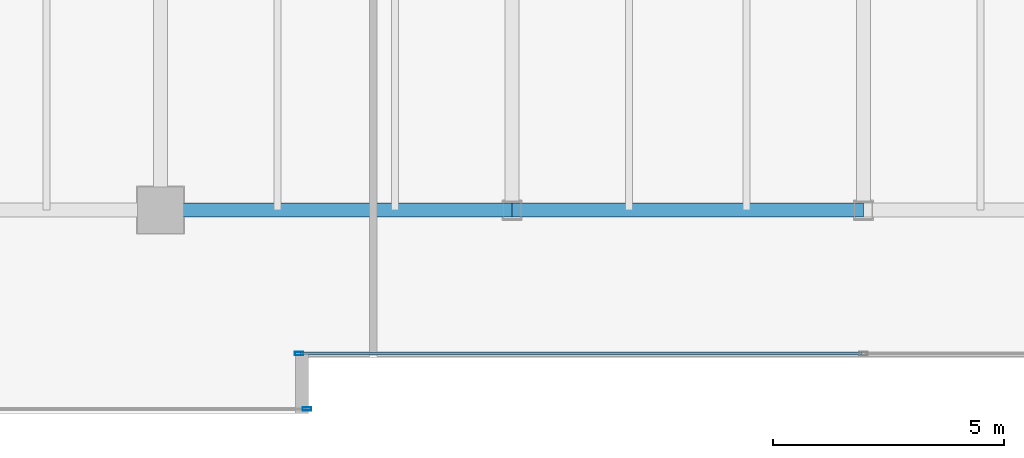
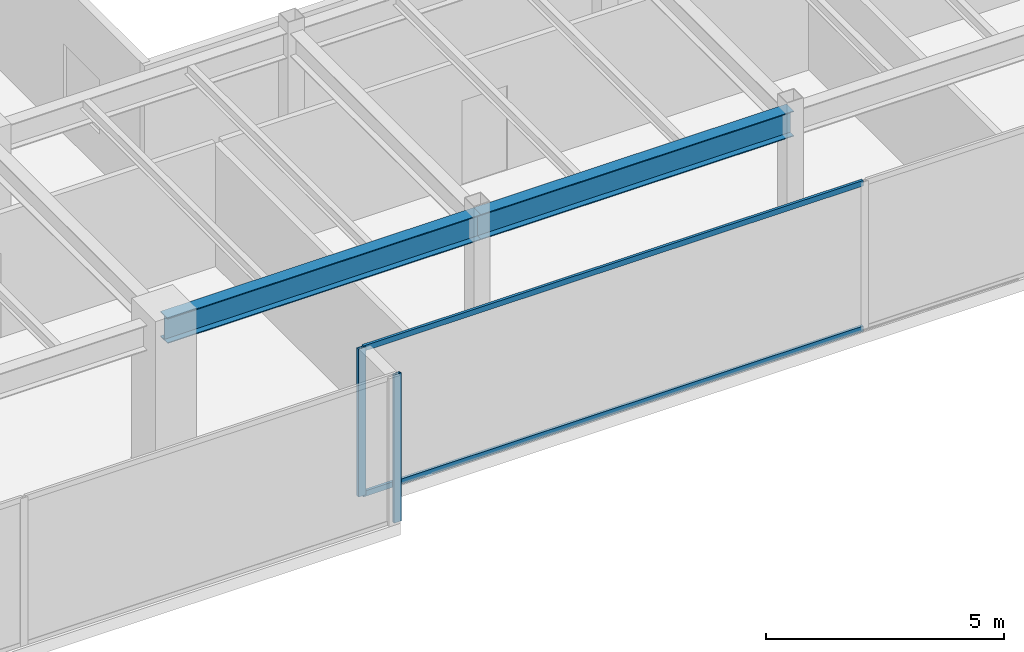
# One storey, part 7 of 35: 4 members, 2 beams, 2 elements without a shape of their own.
"""IFC4 building model written with IfcOpenShell, lengths in metres."""

from ifc_helpers import new_model, si_unit, direction, frame, origin, origin_2d, place, context, subcontext, project, spatial, hollow_rectangle, i_section, extrude, source, transform, mapped, material, layer, layer_set, material_profile, profile_set, type_object, type_shapes, element, aggregate, save


model = new_model("IFC4")

# Units and contexts
model_context = context("Model", 3, precision=1e-05, world=origin(), true_north=direction((0.0, 1.0)))
body_context = subcontext(model_context, "Body", "Model", "MODEL_VIEW")
ifc_project = project(units=[si_unit("LENGTHUNIT", "METRE"), si_unit("AREAUNIT", "SQUARE_METRE"), si_unit("VOLUMEUNIT", "CUBIC_METRE"), si_unit("PLANEANGLEUNIT", "RADIAN"), si_unit("MASSUNIT", "GRAM", prefix="KILO")], contexts=[model_context])

# Site, building, storey
site_placement = place(None, origin())
site = spatial("IfcSite", under=ifc_project, at=site_placement, CompositionType="ELEMENT")
building_placement = place(site_placement, origin())
building = spatial("IfcBuilding", under=site, at=building_placement, Name="Haelvirn Gate Laboratories", CompositionType="ELEMENT")
storey_placement = place(building_placement, frame((0.0, 0.0, 226.0)))
storey = spatial("IfcBuildingStorey", under=building, at=storey_placement, Name="L54", CompositionType="ELEMENT", Elevation=226.0)

# Beams
ifc_material_1 = material(Name="Steel SM355", Category="steel")
ifc_material_profile_1 = material_profile(ifc_material_1, i_section(OverallWidth=0.300048828125, OverallDepth=0.64990234375, WebThickness=0.012939453125, FlangeThickness=0.02197265625, at=origin_2d()), Name="H-650x300x13x22")
ifc_profile_set_1 = profile_set([ifc_material_profile_1], Name="Steel SM355")
beam_type = type_object("IfcBeamType", Name="BM-G-650", PredefinedType="BEAM", material=ifc_profile_set_1)
shared_shape_1 = source(origin(), body_context, "Body", "SweptSolid", [
    extrude(i_section(OverallWidth=0.300048828125, OverallDepth=0.64990234375, WebThickness=0.012939453125, FlangeThickness=0.02197265625, at=origin_2d()), origin(), (0.0, 0.0, 1.0), 7.60009765625),
])
beam_1_placement = place(storey_placement, frame((22.199951171875, 7.0, 3.47509765625), z_axis=(1.0, 0.0, 0.0), x_axis=(0.0, 1.0, 0.0)))
element("IfcBeam", 1, at=beam_1_placement, inside=storey, type_object=beam_type, Name="L54 Primary Girder Y7.0 (22.2-29.8)", PredefinedType="BEAM", context=body_context, shape_type="MappedRepresentation", body=[
    mapped(shared_shape_1, transform((0.0, 0.0, 0.0), scale=1.0)),
])
shared_shape_2 = source(origin(), body_context, "Body", "SweptSolid", [
    extrude(i_section(OverallWidth=0.300048828125, OverallDepth=0.64990234375, WebThickness=0.012939453125, FlangeThickness=0.02197265625, at=origin_2d()), origin(), (0.0, 0.0, 1.0), 7.599853515625),
])
type_shapes(beam_type, [shared_shape_1, shared_shape_2])
beam_2_placement = place(storey_placement, frame((29.800048828125, 7.0, 3.47509765625), z_axis=(1.0, 0.0, 0.0), x_axis=(0.0, 1.0, 0.0)))
element("IfcBeam", 2, at=beam_2_placement, inside=storey, type_object=beam_type, Name="L54 Primary Girder Y7.0 (29.8-37.4)", PredefinedType="BEAM", context=body_context, shape_type="MappedRepresentation", body=[
    mapped(shared_shape_2, transform((0.0, 0.0, 0.0), scale=1.0)),
])

# Curtain wall, members
ifc_material_2 = material(Name="Anodised bronze unitised aluminium & triple low-E glass", Category="aluminium")
ifc_layer = layer(ifc_material_2, 0.176025390625, Name="CW-SYS-4")
ifc_layer_set = layer_set([ifc_layer], Name="Anodised bronze unitised aluminium & triple low-E glass")
curtain_wall_type = type_object("IfcCurtainWallType", Name="CW-SYS-4", PredefinedType="NOTDEFINED", material=ifc_layer_set)
curtain_wall_1_placement = place(storey_placement, origin())
curtain_wall_1 = element("IfcCurtainWall", 3, at=curtain_wall_1_placement, inside=storey, type_object=curtain_wall_type, Name="L54 Unitised Curtain Wall CW-L54-P0-E02-1", PredefinedType="NOTDEFINED")
ifc_material_3 = material(Name="Extruded aluminium 6063-T6 (anodised bronze)", Category="aluminium")
ifc_material_profile_2 = material_profile(ifc_material_3, hollow_rectangle(XDim=0.06494140625, YDim=0.139892578125, WallThickness=0.00390625, at=origin_2d()), Name="CWT-140x65x4")
ifc_profile_set_2 = profile_set([ifc_material_profile_2], Name="Extruded aluminium 6063-T6 (anodised bronze)")
member_type_1 = type_object("IfcMemberType", Name="CWT-T140", PredefinedType="USERDEFINED", material=ifc_profile_set_2)
shared_shape_3 = source(origin(), body_context, "Body", "SweptSolid", [
    extrude(hollow_rectangle(XDim=0.06494140625, YDim=0.139892578125, WallThickness=0.00390625, at=origin_2d()), origin(), (0.0, 0.0, 1.0), 12.135009765625),
])
type_shapes(member_type_1, [shared_shape_3])
member_1_placement = place(storey_placement, frame((25.22998046875, 3.89990234375, 0.032470703125), z_axis=(1.0, 0.0, 0.0), x_axis=(0.0, 1.0, 0.0)))
member_1 = element("IfcMember", 4, at=member_1_placement, type_object=member_type_1, Name="CW4 transom 1.1", ObjectType="TRANSOM", PredefinedType="USERDEFINED", context=body_context, shape_type="MappedRepresentation", body=[
    mapped(shared_shape_3, transform((0.0, 0.0, 0.0), scale=1.0)),
])
member_2_placement = place(storey_placement, frame((25.22998046875, 3.89990234375, 3.767578125), z_axis=(1.0, 0.0, 0.0), x_axis=(0.0, 1.0, 0.0)))
member_2 = element("IfcMember", 5, at=member_2_placement, type_object=member_type_1, Name="CW4 transom 1.2", ObjectType="TRANSOM", PredefinedType="USERDEFINED", context=body_context, shape_type="MappedRepresentation", body=[
    mapped(shared_shape_3, transform((0.0, 0.0, 0.0), scale=1.0)),
])

# Curtain wall, member
curtain_wall_2_placement = place(storey_placement, origin())
curtain_wall_2 = element("IfcCurtainWall", 6, at=curtain_wall_2_placement, inside=storey, type_object=curtain_wall_type, Name="L54 Unitised Curtain Wall CW-L54-P0-E00-1", PredefinedType="NOTDEFINED")
ifc_material_profile_3 = material_profile(ifc_material_3, hollow_rectangle(XDim=0.070068359375, YDim=0.179931640625, WallThickness=0.0048828125, at=origin_2d()), Name="CWM-180x70x5")
ifc_profile_set_3 = profile_set([ifc_material_profile_3], Name="Extruded aluminium 6063-T6 (anodised bronze)")
member_type_2 = type_object("IfcMemberType", Name="CWM-T180", PredefinedType="MULLION", material=ifc_profile_set_3)
shared_shape_4 = source(origin(), body_context, "Body", "SweptSolid", [
    extrude(hollow_rectangle(XDim=0.070068359375, YDim=0.179931640625, WallThickness=0.0048828125, at=origin_2d()), origin(), (0.0, 0.0, 1.0), 3.800048828125),
])
type_shapes(member_type_2, [shared_shape_4])
member_3_placement = place(storey_placement, frame((25.364990234375, 2.699951171875, 0.0), z_axis=(0.0, 0.0, 1.0), x_axis=(0.0, 1.0, 0.0)))
member_3 = element("IfcMember", 7, at=member_3_placement, type_object=member_type_2, Name="CW4 mullion 3", PredefinedType="MULLION", context=body_context, shape_type="MappedRepresentation", body=[
    mapped(shared_shape_4, transform((0.0, 0.0, 0.0), scale=1.0)),
])
aggregate(curtain_wall_2, [member_3])

# Member
member_4_placement = place(storey_placement, frame((25.195068359375, 3.89990234375, 0.0), z_axis=(0.0, 0.0, 1.0), x_axis=(0.0, 1.0, 0.0)))
member_4 = element("IfcMember", 8, at=member_4_placement, type_object=member_type_2, Name="CW4 mullion 1", PredefinedType="MULLION", context=body_context, shape_type="MappedRepresentation", body=[
    mapped(shared_shape_4, transform((0.0, 0.0, 0.0), scale=1.0)),
])

aggregate(curtain_wall_1, [member_4, member_1, member_2])

save(model, "model.ifc")
